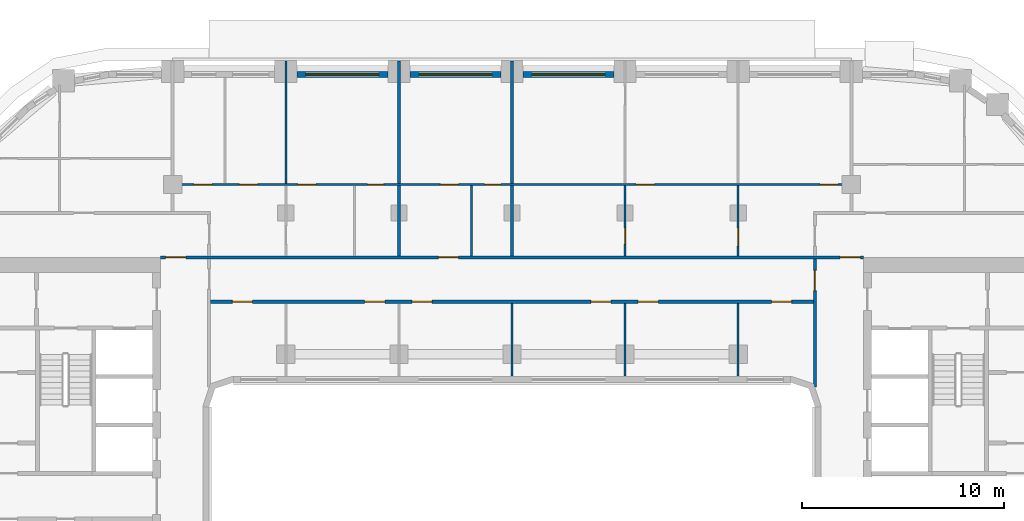
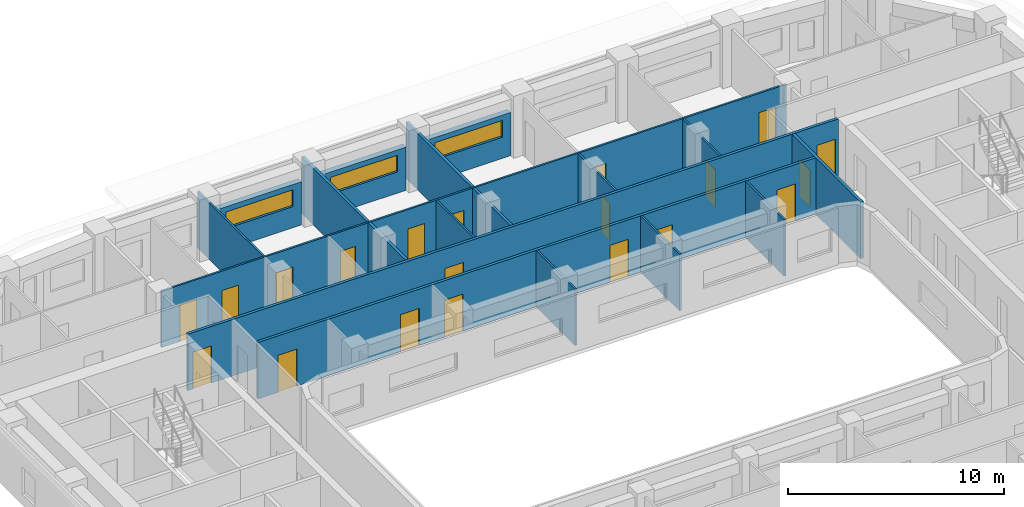
# One storey, part 8 of 22: 20 doors, 18 walls, 3 windows, 23 openings.
"""IFC4 building model written with IfcOpenShell, lengths in metres."""

from ifc_helpers import new_model, si_unit, direction, frame, frame_2d, origin, place, context, subcontext, project, spatial, rectangle, extrude, material, layer, layer_set, type_object, element, fill, save


model = new_model("IFC4")

# Units and contexts
model_context = context("Model", 3, precision=1e-05, world=origin(), true_north=direction((0.0, 1.0)))
body_context = subcontext(model_context, "Body", "Model", "MODEL_VIEW")
ifc_project = project(units=[si_unit("LENGTHUNIT", "METRE"), si_unit("AREAUNIT", "SQUARE_METRE"), si_unit("VOLUMEUNIT", "CUBIC_METRE"), si_unit("PLANEANGLEUNIT", "RADIAN"), si_unit("MASSUNIT", "GRAM", prefix="KILO")], contexts=[model_context])

# Site, building, storey
site_placement = place(None, origin())
site = spatial("IfcSite", under=ifc_project, at=site_placement, CompositionType="ELEMENT")
building_placement = place(site_placement, origin())
building = spatial("IfcBuilding", under=site, at=building_placement, Name="Kiln Ring Residences", CompositionType="ELEMENT")
storey_placement = place(building_placement, frame((0.0, 0.0, 153.60009765625)))
storey = spatial("IfcBuildingStorey", under=building, at=storey_placement, Name="L39", CompositionType="ELEMENT", Elevation=153.60009765625)

# Wall, opening, window
ifc_material_1 = material(Name="Brick masonry, dark clay brick", Category="masonry")
ifc_layer_1 = layer(ifc_material_1, 0.300048828125)
ifc_layer_set_1 = layer_set([ifc_layer_1], Name="EW-300 BRICK WALL")
wall_type_1 = type_object("IfcWallType", Name="EW-300 BRICK WALL", PredefinedType="SOLIDWALL", material=ifc_layer_set_1)
wall_1_placement = place(storey_placement, frame((5.050048828125, 22.25, 0.0), z_axis=(0.0, 0.0, 1.0), x_axis=(-1.0, 0.0, 0.0)))
wall_1 = element("IfcWall", 1, at=wall_1_placement, inside=storey, type_object=wall_type_1, Name="Facade wall L39 31", PredefinedType="SOLIDWALL", context=body_context, shape_type="SweptSolid", body=[
    extrude(rectangle(XDim=4.5, YDim=0.300048828125, at=frame_2d((2.25, 0.0))), origin(), (0.0, 0.0, 1.0), 2.449951171875),
])
opening_1_placement = place(wall_1_placement, frame((0.449951171875, 0.0, 1.199951171875)))
opening_1 = element("IfcOpeningElement", 2, at=opening_1_placement, cuts=wall_1, Name="Opening W4", PredefinedType="OPENING", context=body_context, shape_type="SweptSolid", body=[
    extrude(rectangle(XDim=3.60009765625, YDim=0.949951171875, at=frame_2d((1.800048828125, 0.47509765625))), frame((0.0, 0.159912109375, 0.0), z_axis=(0.0, -1.0, 0.0), x_axis=(1.0, 0.0, 0.0)), (0.0, 0.0, 1.0), 0.320068359375),
])
ifc_material_2 = material(Name="Aluminium frame with double glazing", Category="aluminium")
window_type = type_object("IfcWindowType", Name="WINDOW 3600 x 950", PartitioningType="SINGLE_PANEL", PredefinedType="WINDOW", material=ifc_material_2)
window_1_placement = place(opening_1_placement, origin())
window_1 = element("IfcWindow", 3, at=window_1_placement, inside=storey, type_object=window_type, Name="Window L39 19", OverallHeight=0.949951171875, OverallWidth=3.60009765625, PartitioningType="SINGLE_PANEL", PredefinedType="WINDOW", context=body_context, shape_type="SweptSolid", body=[
    extrude(rectangle(XDim=3.60009765625, YDim=0.949951171875, at=frame_2d((1.800048828125, 0.47509765625))), frame((0.0, 0.030029296875, 0.0), z_axis=(0.0, -1.0, 0.0), x_axis=(1.0, 0.0, 0.0)), (0.0, 0.0, 1.0), 0.06005859375),
])
fill(opening_1, window_1)

wall_2_placement = place(storey_placement, frame((-0.550048828125, 22.25, 0.0), z_axis=(0.0, 0.0, 1.0), x_axis=(-1.0, 0.0, 0.0)))
wall_2 = element("IfcWall", 4, at=wall_2_placement, inside=storey, type_object=wall_type_1, Name="Facade wall L39 32", PredefinedType="SOLIDWALL", context=body_context, shape_type="SweptSolid", body=[
    extrude(rectangle(XDim=4.5, YDim=0.300048828125, at=frame_2d((2.25, 0.0))), origin(), (0.0, 0.0, 1.0), 2.449951171875),
])
opening_2_placement = place(wall_2_placement, frame((0.449951171875, 0.0, 1.199951171875)))
opening_2 = element("IfcOpeningElement", 5, at=opening_2_placement, cuts=wall_2, Name="Opening W4", PredefinedType="OPENING", context=body_context, shape_type="SweptSolid", body=[
    extrude(rectangle(XDim=3.60009765625, YDim=0.949951171875, at=frame_2d((1.800048828125, 0.47509765625))), frame((0.0, 0.159912109375, 0.0), z_axis=(0.0, -1.0, 0.0), x_axis=(1.0, 0.0, 0.0)), (0.0, 0.0, 1.0), 0.320068359375),
])
window_2_placement = place(opening_2_placement, origin())
window_2 = element("IfcWindow", 6, at=window_2_placement, inside=storey, type_object=window_type, Name="Window L39 20", OverallHeight=0.949951171875, OverallWidth=3.60009765625, PartitioningType="SINGLE_PANEL", PredefinedType="WINDOW", context=body_context, shape_type="SweptSolid", body=[
    extrude(rectangle(XDim=3.60009765625, YDim=0.949951171875, at=frame_2d((1.800048828125, 0.47509765625))), frame((0.0, 0.030029296875, 0.0), z_axis=(0.0, -1.0, 0.0), x_axis=(1.0, 0.0, 0.0)), (0.0, 0.0, 1.0), 0.06005859375),
])
fill(opening_2, window_2)

wall_3_placement = place(storey_placement, frame((-6.14990234375, 22.25, 0.0), z_axis=(0.0, 0.0, 1.0), x_axis=(-1.0, 0.0, 0.0)))
wall_3 = element("IfcWall", 7, at=wall_3_placement, inside=storey, type_object=wall_type_1, Name="Facade wall L39 33", PredefinedType="SOLIDWALL", context=body_context, shape_type="SweptSolid", body=[
    extrude(rectangle(XDim=4.5, YDim=0.300048828125, at=frame_2d((2.25, 0.0))), origin(), (0.0, 0.0, 1.0), 2.449951171875),
])
opening_3_placement = place(wall_3_placement, frame((0.449951171875, 0.0, 1.199951171875)))
opening_3 = element("IfcOpeningElement", 8, at=opening_3_placement, cuts=wall_3, Name="Opening W4", PredefinedType="OPENING", context=body_context, shape_type="SweptSolid", body=[
    extrude(rectangle(XDim=3.60009765625, YDim=0.949951171875, at=frame_2d((1.800048828125, 0.47509765625))), frame((0.0, 0.159912109375, 0.0), z_axis=(0.0, -1.0, 0.0), x_axis=(1.0, 0.0, 0.0)), (0.0, 0.0, 1.0), 0.320068359375),
])
window_3_placement = place(opening_3_placement, origin())
window_3 = element("IfcWindow", 9, at=window_3_placement, inside=storey, type_object=window_type, Name="Window L39 21", OverallHeight=0.949951171875, OverallWidth=3.60009765625, PartitioningType="SINGLE_PANEL", PredefinedType="WINDOW", context=body_context, shape_type="SweptSolid", body=[
    extrude(rectangle(XDim=3.60009765625, YDim=0.949951171875, at=frame_2d((1.800048828125, 0.47509765625))), frame((0.0, 0.030029296875, 0.0), z_axis=(0.0, -1.0, 0.0), x_axis=(1.0, 0.0, 0.0)), (0.0, 0.0, 1.0), 0.06005859375),
])
fill(opening_3, window_3)

# Wall, openings, doors
ifc_material_3 = material(Name="Gypsum board on steel studs", Category="steel")
ifc_layer_2 = layer(ifc_material_3, 0.10009765625)
ifc_layer_set_2 = layer_set([ifc_layer_2], Name="PARTITION-100")
wall_type_2 = type_object("IfcWallType", Name="PARTITION-100", PredefinedType="PARTITIONING", material=ifc_layer_set_2)
wall_4_placement = place(storey_placement, frame((-16.72509765625, 16.800048828125, 0.0), z_axis=(0.0, 0.0, 1.0), x_axis=(1.0, 0.0, 0.0)))
wall_4 = element("IfcWall", 10, at=wall_4_placement, inside=storey, type_object=wall_type_2, Name="Partition 011", PredefinedType="PARTITIONING", context=body_context, shape_type="SweptSolid", body=[
    extrude(rectangle(XDim=33.4501953125, YDim=0.10009765625, at=frame_2d((16.72509765625, 0.0))), origin(), (0.0, 0.0, 1.0), 3.199951171875),
])
opening_4_placement = place(wall_4_placement, frame((9.574951171875, 0.0, 0.0)))
opening_4 = element("IfcOpeningElement", 11, at=opening_4_placement, cuts=wall_4, Name="Opening L39-D017", PredefinedType="OPENING", context=body_context, shape_type="SweptSolid", body=[
    extrude(rectangle(XDim=0.800048828125, YDim=2.10009765625, at=frame_2d((0.39990234375, 1.050048828125))), frame((0.0, 0.06005859375, 0.0), z_axis=(0.0, -1.0, 0.0), x_axis=(1.0, 0.0, 0.0)), (0.0, 0.0, 1.0), 0.1201171875),
])
opening_5_placement = place(wall_4_placement, frame((6.125, 0.0, 0.0)))
opening_5 = element("IfcOpeningElement", 12, at=opening_5_placement, cuts=wall_4, Name="Opening L39-D018", PredefinedType="OPENING", context=body_context, shape_type="SweptSolid", body=[
    extrude(rectangle(XDim=0.89990234375, YDim=2.10009765625, at=frame_2d((0.449951171875, 1.050048828125))), frame((0.0, 0.06005859375, 0.0), z_axis=(0.0, -1.0, 0.0), x_axis=(1.0, 0.0, 0.0)), (0.0, 0.0, 1.0), 0.1201171875),
])
opening_6_placement = place(wall_4_placement, frame((0.97509765625, 0.0, 0.0)))
opening_6 = element("IfcOpeningElement", 13, at=opening_6_placement, cuts=wall_4, Name="Opening L39-D019", PredefinedType="OPENING", context=body_context, shape_type="SweptSolid", body=[
    extrude(rectangle(XDim=0.89990234375, YDim=2.10009765625, at=frame_2d((0.449951171875, 1.050048828125))), frame((0.0, 0.06005859375, 0.0), z_axis=(0.0, -1.0, 0.0), x_axis=(1.0, 0.0, 0.0)), (0.0, 0.0, 1.0), 0.1201171875),
])
opening_7_placement = place(wall_4_placement, frame((3.22509765625, 0.0, 0.0)))
opening_7 = element("IfcOpeningElement", 14, at=opening_7_placement, cuts=wall_4, Name="Opening L39-D020", PredefinedType="OPENING", context=body_context, shape_type="SweptSolid", body=[
    extrude(rectangle(XDim=0.89990234375, YDim=2.10009765625, at=frame_2d((0.449951171875, 1.050048828125))), frame((0.0, 0.06005859375, 0.0), z_axis=(0.0, -1.0, 0.0), x_axis=(1.0, 0.0, 0.0)), (0.0, 0.0, 1.0), 0.1201171875),
])
opening_8_placement = place(wall_4_placement, frame((15.375, 0.0, 0.0)))
opening_8 = element("IfcOpeningElement", 15, at=opening_8_placement, cuts=wall_4, Name="Opening L39-D022", PredefinedType="OPENING", context=body_context, shape_type="SweptSolid", body=[
    extrude(rectangle(XDim=0.800048828125, YDim=2.10009765625, at=frame_2d((0.39990234375, 1.050048828125))), frame((0.0, 0.06005859375, 0.0), z_axis=(0.0, -1.0, 0.0), x_axis=(1.0, 0.0, 0.0)), (0.0, 0.0, 1.0), 0.1201171875),
])
opening_9_placement = place(wall_4_placement, frame((13.175048828125, 0.0, 0.0)))
opening_9 = element("IfcOpeningElement", 16, at=opening_9_placement, cuts=wall_4, Name="Opening L39-D023", PredefinedType="OPENING", context=body_context, shape_type="SweptSolid", body=[
    extrude(rectangle(XDim=0.89990234375, YDim=2.10009765625, at=frame_2d((0.449951171875, 1.050048828125))), frame((0.0, 0.06005859375, 0.0), z_axis=(0.0, -1.0, 0.0), x_axis=(1.0, 0.0, 0.0)), (0.0, 0.0, 1.0), 0.1201171875),
])
opening_10_placement = place(wall_4_placement, frame((31.97509765625, 0.0, 0.0)))
opening_10 = element("IfcOpeningElement", 17, at=opening_10_placement, cuts=wall_4, Name="Opening L39-D027", PredefinedType="OPENING", context=body_context, shape_type="SweptSolid", body=[
    extrude(rectangle(XDim=0.89990234375, YDim=2.10009765625, at=frame_2d((0.449951171875, 1.050048828125))), frame((0.0, 0.06005859375, 0.0), z_axis=(0.0, -1.0, 0.0), x_axis=(1.0, 0.0, 0.0)), (0.0, 0.0, 1.0), 0.1201171875),
])
opening_11_placement = place(wall_4_placement, frame((22.875, 0.0, 0.0)))
opening_11 = element("IfcOpeningElement", 18, at=opening_11_placement, cuts=wall_4, Name="Opening L39-D028", PredefinedType="OPENING", context=body_context, shape_type="SweptSolid", body=[
    extrude(rectangle(XDim=0.89990234375, YDim=2.10009765625, at=frame_2d((0.449951171875, 1.050048828125))), frame((0.0, 0.06005859375, 0.0), z_axis=(0.0, -1.0, 0.0), x_axis=(1.0, 0.0, 0.0)), (0.0, 0.0, 1.0), 0.1201171875),
])
ifc_material_4 = material(Name="Timber door leaf", Category="wood")
door_type_1 = type_object("IfcDoorType", Name="FLAT-DOOR-800-PL", OperationType="SINGLE_SWING_LEFT", PredefinedType="DOOR", material=ifc_material_4)
door_1_placement = place(opening_4_placement, origin())
door_1 = element("IfcDoor", 19, at=door_1_placement, inside=storey, type_object=door_type_1, Name="Door L39-D017", OperationType="SINGLE_SWING_LEFT", OverallHeight=2.10009765625, OverallWidth=0.800048828125, PredefinedType="DOOR", context=body_context, shape_type="SweptSolid", body=[
    extrude(rectangle(XDim=0.800048828125, YDim=2.10009765625, at=frame_2d((0.39990234375, 1.050048828125))), frame((0.0, 0.02490234375, 0.0), z_axis=(0.0, -1.0, 0.0), x_axis=(1.0, 0.0, 0.0)), (0.0, 0.0, 1.0), 0.050048828125),
])
fill(opening_4, door_1)
door_2_placement = place(opening_8_placement, origin())
door_2 = element("IfcDoor", 20, at=door_2_placement, inside=storey, type_object=door_type_1, Name="Door L39-D022", OperationType="SINGLE_SWING_RIGHT", OverallHeight=2.10009765625, OverallWidth=0.800048828125, PredefinedType="DOOR", context=body_context, shape_type="SweptSolid", body=[
    extrude(rectangle(XDim=0.800048828125, YDim=2.10009765625, at=frame_2d((0.39990234375, 1.050048828125))), frame((0.0, 0.02490234375, 0.0), z_axis=(0.0, -1.0, 0.0), x_axis=(1.0, 0.0, 0.0)), (0.0, 0.0, 1.0), 0.050048828125),
])
fill(opening_8, door_2)
ifc_material_5 = material(Name="Timber door leaf", Category="wood")
door_type_2 = type_object("IfcDoorType", Name="FLAT-DOOR-900-PL", OperationType="SINGLE_SWING_LEFT", PredefinedType="DOOR", material=ifc_material_5)
door_3_placement = place(opening_5_placement, origin())
door_3 = element("IfcDoor", 21, at=door_3_placement, inside=storey, type_object=door_type_2, Name="Door L39-D018", OperationType="SINGLE_SWING_RIGHT", OverallHeight=2.10009765625, OverallWidth=0.89990234375, PredefinedType="DOOR", context=body_context, shape_type="SweptSolid", body=[
    extrude(rectangle(XDim=0.89990234375, YDim=2.10009765625, at=frame_2d((0.449951171875, 1.050048828125))), frame((0.0, 0.02490234375, 0.0), z_axis=(0.0, -1.0, 0.0), x_axis=(1.0, 0.0, 0.0)), (0.0, 0.0, 1.0), 0.050048828125),
])
fill(opening_5, door_3)
door_4_placement = place(opening_6_placement, origin())
door_4 = element("IfcDoor", 22, at=door_4_placement, inside=storey, type_object=door_type_2, Name="Door L39-D019", OperationType="SINGLE_SWING_LEFT", OverallHeight=2.10009765625, OverallWidth=0.89990234375, PredefinedType="DOOR", context=body_context, shape_type="SweptSolid", body=[
    extrude(rectangle(XDim=0.89990234375, YDim=2.10009765625, at=frame_2d((0.449951171875, 1.050048828125))), frame((0.0, 0.02490234375, 0.0), z_axis=(0.0, -1.0, 0.0), x_axis=(1.0, 0.0, 0.0)), (0.0, 0.0, 1.0), 0.050048828125),
])
fill(opening_6, door_4)
door_5_placement = place(opening_7_placement, origin())
door_5 = element("IfcDoor", 23, at=door_5_placement, inside=storey, type_object=door_type_2, Name="Door L39-D020", OperationType="SINGLE_SWING_RIGHT", OverallHeight=2.10009765625, OverallWidth=0.89990234375, PredefinedType="DOOR", context=body_context, shape_type="SweptSolid", body=[
    extrude(rectangle(XDim=0.89990234375, YDim=2.10009765625, at=frame_2d((0.449951171875, 1.050048828125))), frame((0.0, 0.02490234375, 0.0), z_axis=(0.0, -1.0, 0.0), x_axis=(1.0, 0.0, 0.0)), (0.0, 0.0, 1.0), 0.050048828125),
])
fill(opening_7, door_5)
door_6_placement = place(opening_9_placement, origin())
door_6 = element("IfcDoor", 24, at=door_6_placement, inside=storey, type_object=door_type_2, Name="Door L39-D023", OperationType="SINGLE_SWING_LEFT", OverallHeight=2.10009765625, OverallWidth=0.89990234375, PredefinedType="DOOR", context=body_context, shape_type="SweptSolid", body=[
    extrude(rectangle(XDim=0.89990234375, YDim=2.10009765625, at=frame_2d((0.449951171875, 1.050048828125))), frame((0.0, 0.02490234375, 0.0), z_axis=(0.0, -1.0, 0.0), x_axis=(1.0, 0.0, 0.0)), (0.0, 0.0, 1.0), 0.050048828125),
])
fill(opening_9, door_6)
door_7_placement = place(opening_10_placement, origin())
door_7 = element("IfcDoor", 25, at=door_7_placement, inside=storey, type_object=door_type_2, Name="Door L39-D027", OperationType="SINGLE_SWING_LEFT", OverallHeight=2.10009765625, OverallWidth=0.89990234375, PredefinedType="DOOR", context=body_context, shape_type="SweptSolid", body=[
    extrude(rectangle(XDim=0.89990234375, YDim=2.10009765625, at=frame_2d((0.449951171875, 1.050048828125))), frame((0.0, 0.02490234375, 0.0), z_axis=(0.0, -1.0, 0.0), x_axis=(1.0, 0.0, 0.0)), (0.0, 0.0, 1.0), 0.050048828125),
])
fill(opening_10, door_7)
door_8_placement = place(opening_11_placement, origin())
door_8 = element("IfcDoor", 26, at=door_8_placement, inside=storey, type_object=door_type_2, Name="Door L39-D028", OperationType="SINGLE_SWING_RIGHT", OverallHeight=2.10009765625, OverallWidth=0.89990234375, PredefinedType="DOOR", context=body_context, shape_type="SweptSolid", body=[
    extrude(rectangle(XDim=0.89990234375, YDim=2.10009765625, at=frame_2d((0.449951171875, 1.050048828125))), frame((0.0, 0.02490234375, 0.0), z_axis=(0.0, -1.0, 0.0), x_axis=(1.0, 0.0, 0.0)), (0.0, 0.0, 1.0), 0.050048828125),
])
fill(opening_11, door_8)

# Walls
wall_5_placement = place(storey_placement, frame((-11.199951171875, 16.85009765625, 0.0), z_axis=(0.0, 0.0, 1.0), x_axis=(0.0, 1.0, 0.0)))
element("IfcWall", 27, at=wall_5_placement, inside=storey, type_object=wall_type_2, Name="Partition 030", PredefinedType="PARTITIONING", context=body_context, shape_type="SweptSolid", body=[
    extrude(rectangle(XDim=6.079833984375, YDim=0.10009765625, at=frame_2d((3.0400390625, 0.0))), origin(), (0.0, 0.0, 1.0), 3.199951171875),
])
wall_6_placement = place(storey_placement, frame((-2.0, 13.27490234375, 0.0), z_axis=(0.0, 0.0, 1.0), x_axis=(0.0, 1.0, 0.0)))
element("IfcWall", 28, at=wall_6_placement, inside=storey, type_object=wall_type_2, Name="Partition 038", PredefinedType="PARTITIONING", context=body_context, shape_type="SweptSolid", body=[
    extrude(rectangle(XDim=3.47509765625, YDim=0.10009765625, at=frame_2d((1.737548828125, 0.0))), origin(), (0.0, 0.0, 1.0), 3.199951171875),
])
for number, where, z_axis, x_axis, name in (
    (29, (0.0, 7.320068359375, 0.0), (0.0, 0.0, 1.0), (0.0, 1.0, 0.0), "Partition 042"),
    (30, (5.60009765625, 7.320068359375, 0.0), (0.0, 0.0, 1.0), (0.0, 1.0, 0.0), "Partition 046"),
):
    element("IfcWall", number, at=place(storey_placement, frame(where, z_axis=z_axis, x_axis=x_axis)), inside=storey, type_object=wall_type_2, Name=name, PredefinedType="PARTITIONING", context=body_context, shape_type="SweptSolid", body=[
        extrude(rectangle(XDim=3.60498046875, YDim=0.10009765625, at=frame_2d((1.802490234375, 0.0))), origin(), (0.0, 0.0, 1.0), 3.199951171875),
    ])

# Wall, opening, door
wall_7_placement = place(storey_placement, frame((5.60009765625, 13.27490234375, 0.0), z_axis=(0.0, 0.0, 1.0), x_axis=(0.0, 1.0, 0.0)))
wall_7 = element("IfcWall", 31, at=wall_7_placement, inside=storey, type_object=wall_type_2, Name="Partition 047", PredefinedType="PARTITIONING", context=body_context, shape_type="SweptSolid", body=[
    extrude(rectangle(XDim=3.47509765625, YDim=0.10009765625, at=frame_2d((1.737548828125, 0.0))), origin(), (0.0, 0.0, 1.0), 3.199951171875),
])
opening_12_placement = place(wall_7_placement, frame((0.574951171875, 0.0, 0.0)))
opening_12 = element("IfcOpeningElement", 32, at=opening_12_placement, cuts=wall_7, Name="Opening L39-D026", PredefinedType="OPENING", context=body_context, shape_type="SweptSolid", body=[
    extrude(rectangle(XDim=0.800048828125, YDim=2.10009765625, at=frame_2d((0.39990234375, 1.050048828125))), frame((0.0, 0.06005859375, 0.0), z_axis=(0.0, -1.0, 0.0), x_axis=(1.0, 0.0, 0.0)), (0.0, 0.0, 1.0), 0.1201171875),
])
door_9_placement = place(opening_12_placement, origin())
door_9 = element("IfcDoor", 33, at=door_9_placement, inside=storey, type_object=door_type_1, Name="Door L39-D026", OperationType="SINGLE_SWING_RIGHT", OverallHeight=2.10009765625, OverallWidth=0.800048828125, PredefinedType="DOOR", context=body_context, shape_type="SweptSolid", body=[
    extrude(rectangle(XDim=0.800048828125, YDim=2.10009765625, at=frame_2d((0.39990234375, 1.050048828125))), frame((0.0, 0.02490234375, 0.0), z_axis=(0.0, -1.0, 0.0), x_axis=(1.0, 0.0, 0.0)), (0.0, 0.0, 1.0), 0.050048828125),
])
fill(opening_12, door_9)

# Wall
wall_8_placement = place(storey_placement, frame((11.199951171875, 7.320068359375, 0.0), z_axis=(0.0, 0.0, 1.0), x_axis=(0.0, 1.0, 0.0)))
element("IfcWall", 34, at=wall_8_placement, inside=storey, type_object=wall_type_2, Name="Partition 054", PredefinedType="PARTITIONING", context=body_context, shape_type="SweptSolid", body=[
    extrude(rectangle(XDim=3.60498046875, YDim=0.10009765625, at=frame_2d((1.802490234375, 0.0))), origin(), (0.0, 0.0, 1.0), 3.199951171875),
])

# Wall, opening, door
wall_9_placement = place(storey_placement, frame((11.199951171875, 13.27490234375, 0.0), z_axis=(0.0, 0.0, 1.0), x_axis=(0.0, 1.0, 0.0)))
wall_9 = element("IfcWall", 35, at=wall_9_placement, inside=storey, type_object=wall_type_2, Name="Partition 055", PredefinedType="PARTITIONING", context=body_context, shape_type="SweptSolid", body=[
    extrude(rectangle(XDim=3.47509765625, YDim=0.10009765625, at=frame_2d((1.737548828125, 0.0))), origin(), (0.0, 0.0, 1.0), 3.199951171875),
])
opening_13_placement = place(wall_9_placement, frame((0.47509765625, 0.0, 0.0)))
opening_13 = element("IfcOpeningElement", 36, at=opening_13_placement, cuts=wall_9, Name="Opening L39-D025", PredefinedType="OPENING", context=body_context, shape_type="SweptSolid", body=[
    extrude(rectangle(XDim=0.89990234375, YDim=2.10009765625, at=frame_2d((0.449951171875, 1.050048828125))), frame((0.0, 0.06005859375, 0.0), z_axis=(0.0, -1.0, 0.0), x_axis=(1.0, 0.0, 0.0)), (0.0, 0.0, 1.0), 0.1201171875),
])
door_10_placement = place(opening_13_placement, origin())
door_10 = element("IfcDoor", 37, at=door_10_placement, inside=storey, type_object=door_type_2, Name="Door L39-D025", OperationType="SINGLE_SWING_RIGHT", OverallHeight=2.10009765625, OverallWidth=0.89990234375, PredefinedType="DOOR", context=body_context, shape_type="SweptSolid", body=[
    extrude(rectangle(XDim=0.89990234375, YDim=2.10009765625, at=frame_2d((0.449951171875, 1.050048828125))), frame((0.0, 0.02490234375, 0.0), z_axis=(0.0, -1.0, 0.0), x_axis=(1.0, 0.0, 0.0)), (0.0, 0.0, 1.0), 0.050048828125),
])
fill(opening_13, door_10)

# Wall, openings, doors
ifc_material_6 = material(Name="Brick masonry partition", Category="masonry")
ifc_layer_3 = layer(ifc_material_6, 0.14990234375)
ifc_layer_set_3 = layer_set([ifc_layer_3], Name="PARTITION-150-ei60")
wall_type_3 = type_object("IfcWallType", Name="PARTITION-150-ei60", PredefinedType="PARTITIONING", material=ifc_layer_set_3)
wall_10_placement = place(storey_placement, frame((-14.925048828125, 11.0, 0.0), z_axis=(0.0, 0.0, 1.0), x_axis=(1.0, 0.0, 0.0)))
wall_10 = element("IfcWall", 38, at=wall_10_placement, inside=storey, type_object=wall_type_3, Name="Partition 007", PredefinedType="PARTITIONING", context=body_context, shape_type="SweptSolid", body=[
    extrude(rectangle(XDim=29.85009765625, YDim=0.14990234375, at=frame_2d((14.925048828125, 0.0))), origin(), (0.0, 0.0, 1.0), 3.199951171875),
])
opening_14_placement = place(wall_10_placement, frame((1.075927734375, 0.0, 0.0)))
opening_14 = element("IfcOpeningElement", 39, at=opening_14_placement, cuts=wall_10, Name="Opening L39-D009", PredefinedType="OPENING", context=body_context, shape_type="SweptSolid", body=[
    extrude(rectangle(XDim=1.0, YDim=2.10009765625, at=frame_2d((0.5, 1.050048828125))), frame((0.0, 0.0849609375, 0.0), z_axis=(0.0, -1.0, 0.0), x_axis=(1.0, 0.0, 0.0)), (0.0, 0.0, 1.0), 0.169921875),
])
opening_15_placement = place(wall_10_placement, frame((7.625, 0.0, 0.0)))
opening_15 = element("IfcOpeningElement", 40, at=opening_15_placement, cuts=wall_10, Name="Opening L39-D010", PredefinedType="OPENING", context=body_context, shape_type="SweptSolid", body=[
    extrude(rectangle(XDim=1.0, YDim=2.10009765625, at=frame_2d((0.5, 1.050048828125))), frame((0.0, 0.0849609375, 0.0), z_axis=(0.0, -1.0, 0.0), x_axis=(1.0, 0.0, 0.0)), (0.0, 0.0, 1.0), 0.169921875),
])
opening_16_placement = place(wall_10_placement, frame((9.97509765625, 0.0, 0.0)))
opening_16 = element("IfcOpeningElement", 41, at=opening_16_placement, cuts=wall_10, Name="Opening L39-D011", PredefinedType="OPENING", context=body_context, shape_type="SweptSolid", body=[
    extrude(rectangle(XDim=1.0, YDim=2.10009765625, at=frame_2d((0.5, 1.050048828125))), frame((0.0, 0.0849609375, 0.0), z_axis=(0.0, -1.0, 0.0), x_axis=(1.0, 0.0, 0.0)), (0.0, 0.0, 1.0), 0.169921875),
])
opening_17_placement = place(wall_10_placement, frame((18.824951171875, 0.0, 0.0)))
opening_17 = element("IfcOpeningElement", 42, at=opening_17_placement, cuts=wall_10, Name="Opening L39-D012", PredefinedType="OPENING", context=body_context, shape_type="SweptSolid", body=[
    extrude(rectangle(XDim=1.0, YDim=2.10009765625, at=frame_2d((0.5, 1.050048828125))), frame((0.0, 0.0849609375, 0.0), z_axis=(0.0, -1.0, 0.0), x_axis=(1.0, 0.0, 0.0)), (0.0, 0.0, 1.0), 0.169921875),
])
opening_18_placement = place(wall_10_placement, frame((21.175048828125, 0.0, 0.0)))
opening_18 = element("IfcOpeningElement", 43, at=opening_18_placement, cuts=wall_10, Name="Opening L39-D013", PredefinedType="OPENING", context=body_context, shape_type="SweptSolid", body=[
    extrude(rectangle(XDim=1.0, YDim=2.10009765625, at=frame_2d((0.5, 1.050048828125))), frame((0.0, 0.0849609375, 0.0), z_axis=(0.0, -1.0, 0.0), x_axis=(1.0, 0.0, 0.0)), (0.0, 0.0, 1.0), 0.169921875),
])
opening_19_placement = place(wall_10_placement, frame((27.77490234375, 0.0, 0.0)))
opening_19 = element("IfcOpeningElement", 44, at=opening_19_placement, cuts=wall_10, Name="Opening L39-D014", PredefinedType="OPENING", context=body_context, shape_type="SweptSolid", body=[
    extrude(rectangle(XDim=1.0, YDim=2.10009765625, at=frame_2d((0.5, 1.050048828125))), frame((0.0, 0.0849609375, 0.0), z_axis=(0.0, -1.0, 0.0), x_axis=(1.0, 0.0, 0.0)), (0.0, 0.0, 1.0), 0.169921875),
])
ifc_material_7 = material(Name="Steel faced fire door leaf", Category="steel")
door_type_3 = type_object("IfcDoorType", Name="FLAT-DOOR-1000-FR", OperationType="SINGLE_SWING_LEFT", PredefinedType="DOOR", material=ifc_material_7)
door_11_placement = place(opening_14_placement, origin())
door_11 = element("IfcDoor", 45, at=door_11_placement, inside=storey, type_object=door_type_3, Name="Door L39-D009", OperationType="SINGLE_SWING_LEFT", OverallHeight=2.10009765625, OverallWidth=1.0, PredefinedType="DOOR", context=body_context, shape_type="SweptSolid", body=[
    extrude(rectangle(XDim=1.0, YDim=2.10009765625, at=frame_2d((0.5, 1.050048828125))), frame((0.0, 0.02490234375, 0.0), z_axis=(0.0, -1.0, 0.0), x_axis=(1.0, 0.0, 0.0)), (0.0, 0.0, 1.0), 0.050048828125),
])
fill(opening_14, door_11)
door_12_placement = place(opening_15_placement, origin())
door_12 = element("IfcDoor", 46, at=door_12_placement, inside=storey, type_object=door_type_3, Name="Door L39-D010", OperationType="SINGLE_SWING_RIGHT", OverallHeight=2.10009765625, OverallWidth=1.0, PredefinedType="DOOR", context=body_context, shape_type="SweptSolid", body=[
    extrude(rectangle(XDim=1.0, YDim=2.10009765625, at=frame_2d((0.5, 1.050048828125))), frame((0.0, 0.02490234375, 0.0), z_axis=(0.0, -1.0, 0.0), x_axis=(1.0, 0.0, 0.0)), (0.0, 0.0, 1.0), 0.050048828125),
])
fill(opening_15, door_12)
door_13_placement = place(opening_16_placement, origin())
door_13 = element("IfcDoor", 47, at=door_13_placement, inside=storey, type_object=door_type_3, Name="Door L39-D011", OperationType="SINGLE_SWING_LEFT", OverallHeight=2.10009765625, OverallWidth=1.0, PredefinedType="DOOR", context=body_context, shape_type="SweptSolid", body=[
    extrude(rectangle(XDim=1.0, YDim=2.10009765625, at=frame_2d((0.5, 1.050048828125))), frame((0.0, 0.02490234375, 0.0), z_axis=(0.0, -1.0, 0.0), x_axis=(1.0, 0.0, 0.0)), (0.0, 0.0, 1.0), 0.050048828125),
])
fill(opening_16, door_13)
door_14_placement = place(opening_17_placement, origin())
door_14 = element("IfcDoor", 48, at=door_14_placement, inside=storey, type_object=door_type_3, Name="Door L39-D012", OperationType="SINGLE_SWING_RIGHT", OverallHeight=2.10009765625, OverallWidth=1.0, PredefinedType="DOOR", context=body_context, shape_type="SweptSolid", body=[
    extrude(rectangle(XDim=1.0, YDim=2.10009765625, at=frame_2d((0.5, 1.050048828125))), frame((0.0, 0.02490234375, 0.0), z_axis=(0.0, -1.0, 0.0), x_axis=(1.0, 0.0, 0.0)), (0.0, 0.0, 1.0), 0.050048828125),
])
fill(opening_17, door_14)
door_15_placement = place(opening_18_placement, origin())
door_15 = element("IfcDoor", 49, at=door_15_placement, inside=storey, type_object=door_type_3, Name="Door L39-D013", OperationType="SINGLE_SWING_LEFT", OverallHeight=2.10009765625, OverallWidth=1.0, PredefinedType="DOOR", context=body_context, shape_type="SweptSolid", body=[
    extrude(rectangle(XDim=1.0, YDim=2.10009765625, at=frame_2d((0.5, 1.050048828125))), frame((0.0, 0.02490234375, 0.0), z_axis=(0.0, -1.0, 0.0), x_axis=(1.0, 0.0, 0.0)), (0.0, 0.0, 1.0), 0.050048828125),
])
fill(opening_18, door_15)
door_16_placement = place(opening_19_placement, origin())
door_16 = element("IfcDoor", 50, at=door_16_placement, inside=storey, type_object=door_type_3, Name="Door L39-D014", OperationType="SINGLE_SWING_RIGHT", OverallHeight=2.10009765625, OverallWidth=1.0, PredefinedType="DOOR", context=body_context, shape_type="SweptSolid", body=[
    extrude(rectangle(XDim=1.0, YDim=2.10009765625, at=frame_2d((0.5, 1.050048828125))), frame((0.0, 0.02490234375, 0.0), z_axis=(0.0, -1.0, 0.0), x_axis=(1.0, 0.0, 0.0)), (0.0, 0.0, 1.0), 0.050048828125),
])
fill(opening_19, door_16)

wall_11_placement = place(storey_placement, frame((-17.39990234375, 13.199951171875, 0.0), z_axis=(0.0, 0.0, 1.0), x_axis=(1.0, 0.0, 0.0)))
wall_11 = element("IfcWall", 51, at=wall_11_placement, inside=storey, type_object=wall_type_3, Name="Partition 008", PredefinedType="PARTITIONING", context=body_context, shape_type="SweptSolid", body=[
    extrude(rectangle(XDim=34.7998046875, YDim=0.14990234375, at=frame_2d((17.39990234375, 0.0))), origin(), (0.0, 0.0, 1.0), 3.199951171875),
])
opening_20_placement = place(wall_11_placement, frame((0.25, 0.0, 0.0)))
opening_20 = element("IfcOpeningElement", 52, at=opening_20_placement, cuts=wall_11, Name="Opening L39-D003", PredefinedType="OPENING", context=body_context, shape_type="SweptSolid", body=[
    extrude(rectangle(XDim=1.0, YDim=2.10009765625, at=frame_2d((0.5, 1.050048828125))), frame((0.0, 0.0849609375, 0.0), z_axis=(0.0, -1.0, 0.0), x_axis=(1.0, 0.0, 0.0)), (0.0, 0.0, 1.0), 0.169921875),
])
opening_21_placement = place(wall_11_placement, frame((33.64990234375, 0.0, 0.0)))
opening_21 = element("IfcOpeningElement", 53, at=opening_21_placement, cuts=wall_11, Name="Opening L39-D004", PredefinedType="OPENING", context=body_context, shape_type="SweptSolid", body=[
    extrude(rectangle(XDim=1.0, YDim=2.10009765625, at=frame_2d((0.5, 1.050048828125))), frame((0.0, 0.0849609375, 0.0), z_axis=(0.0, -1.0, 0.0), x_axis=(1.0, 0.0, 0.0)), (0.0, 0.0, 1.0), 0.169921875),
])
opening_22_placement = place(wall_11_placement, frame((13.75, 0.0, 0.0)))
opening_22 = element("IfcOpeningElement", 54, at=opening_22_placement, cuts=wall_11, Name="Opening L39-D021", PredefinedType="OPENING", context=body_context, shape_type="SweptSolid", body=[
    extrude(rectangle(XDim=1.0, YDim=2.10009765625, at=frame_2d((0.5, 1.050048828125))), frame((0.0, 0.0849609375, 0.0), z_axis=(0.0, -1.0, 0.0), x_axis=(1.0, 0.0, 0.0)), (0.0, 0.0, 1.0), 0.169921875),
])
door_17_placement = place(opening_20_placement, origin())
door_17 = element("IfcDoor", 55, at=door_17_placement, inside=storey, type_object=door_type_3, Name="Door L39-D003", OperationType="SINGLE_SWING_LEFT", OverallHeight=2.10009765625, OverallWidth=1.0, PredefinedType="DOOR", context=body_context, shape_type="SweptSolid", body=[
    extrude(rectangle(XDim=1.0, YDim=2.10009765625, at=frame_2d((0.5, 1.050048828125))), frame((0.0, 0.02490234375, 0.0), z_axis=(0.0, -1.0, 0.0), x_axis=(1.0, 0.0, 0.0)), (0.0, 0.0, 1.0), 0.050048828125),
])
fill(opening_20, door_17)
door_18_placement = place(opening_21_placement, origin())
door_18 = element("IfcDoor", 56, at=door_18_placement, inside=storey, type_object=door_type_3, Name="Door L39-D004", OperationType="SINGLE_SWING_RIGHT", OverallHeight=2.10009765625, OverallWidth=1.0, PredefinedType="DOOR", context=body_context, shape_type="SweptSolid", body=[
    extrude(rectangle(XDim=1.0, YDim=2.10009765625, at=frame_2d((0.5, 1.050048828125))), frame((0.0, 0.02490234375, 0.0), z_axis=(0.0, -1.0, 0.0), x_axis=(1.0, 0.0, 0.0)), (0.0, 0.0, 1.0), 0.050048828125),
])
fill(opening_21, door_18)
door_19_placement = place(opening_22_placement, origin())
door_19 = element("IfcDoor", 57, at=door_19_placement, inside=storey, type_object=door_type_3, Name="Door L39-D021", OperationType="SINGLE_SWING_LEFT", OverallHeight=2.10009765625, OverallWidth=1.0, PredefinedType="DOOR", context=body_context, shape_type="SweptSolid", body=[
    extrude(rectangle(XDim=1.0, YDim=2.10009765625, at=frame_2d((0.5, 1.050048828125))), frame((0.0, 0.02490234375, 0.0), z_axis=(0.0, -1.0, 0.0), x_axis=(1.0, 0.0, 0.0)), (0.0, 0.0, 1.0), 0.050048828125),
])
fill(opening_22, door_19)

# Walls
wall_12_placement = place(storey_placement, frame((-5.60009765625, 13.27490234375, 0.0), z_axis=(0.0, 0.0, 1.0), x_axis=(0.0, 1.0, 0.0)))
element("IfcWall", 58, at=wall_12_placement, inside=storey, type_object=wall_type_3, Name="Partition 036", PredefinedType="PARTITIONING", context=body_context, shape_type="SweptSolid", body=[
    extrude(rectangle(XDim=3.47509765625, YDim=0.14990234375, at=frame_2d((1.737548828125, 0.0))), origin(), (0.0, 0.0, 1.0), 3.199951171875),
])
wall_13_placement = place(storey_placement, frame((-5.60009765625, 16.85009765625, 0.0), z_axis=(0.0, 0.0, 1.0), x_axis=(0.0, 1.0, 0.0)))
element("IfcWall", 59, at=wall_13_placement, inside=storey, type_object=wall_type_3, Name="Partition 037", PredefinedType="PARTITIONING", context=body_context, shape_type="SweptSolid", body=[
    extrude(rectangle(XDim=6.079833984375, YDim=0.14990234375, at=frame_2d((3.0400390625, 0.0))), origin(), (0.0, 0.0, 1.0), 3.199951171875),
])
wall_14_placement = place(storey_placement, frame((0.0, 13.27490234375, 0.0), z_axis=(0.0, 0.0, 1.0), x_axis=(0.0, 1.0, 0.0)))
element("IfcWall", 60, at=wall_14_placement, inside=storey, type_object=wall_type_3, Name="Partition 043", PredefinedType="PARTITIONING", context=body_context, shape_type="SweptSolid", body=[
    extrude(rectangle(XDim=3.47509765625, YDim=0.14990234375, at=frame_2d((1.737548828125, 0.0))), origin(), (0.0, 0.0, 1.0), 3.199951171875),
])
wall_15_placement = place(storey_placement, frame((0.0, 16.85009765625, 0.0), z_axis=(0.0, 0.0, 1.0), x_axis=(0.0, 1.0, 0.0)))
element("IfcWall", 61, at=wall_15_placement, inside=storey, type_object=wall_type_3, Name="Partition 044", PredefinedType="PARTITIONING", context=body_context, shape_type="SweptSolid", body=[
    extrude(rectangle(XDim=6.079833984375, YDim=0.14990234375, at=frame_2d((3.0400390625, 0.0))), origin(), (0.0, 0.0, 1.0), 3.199951171875),
])

# Wall, opening, door
wall_16_placement = place(storey_placement, frame((15.0, 6.768798828125, 0.0), z_axis=(0.0, 0.0, 1.0), x_axis=(0.0, 1.0, 0.0)))
wall_16 = element("IfcWall", 62, at=wall_16_placement, inside=storey, type_object=wall_type_3, Name="Partition 059", PredefinedType="PARTITIONING", context=body_context, shape_type="SweptSolid", body=[
    extrude(rectangle(XDim=6.356201171875, YDim=0.14990234375, at=frame_2d((3.17822265625, 0.0))), origin(), (0.0, 0.0, 1.0), 3.199951171875),
])
opening_23_placement = place(wall_16_placement, frame((4.78125, 0.0, 0.0)))
opening_23 = element("IfcOpeningElement", 63, at=opening_23_placement, cuts=wall_16, Name="Opening L39-D002", PredefinedType="OPENING", context=body_context, shape_type="SweptSolid", body=[
    extrude(rectangle(XDim=1.0, YDim=2.10009765625, at=frame_2d((0.5, 1.050048828125))), frame((0.0, 0.0849609375, 0.0), z_axis=(0.0, -1.0, 0.0), x_axis=(1.0, 0.0, 0.0)), (0.0, 0.0, 1.0), 0.169921875),
])
door_20_placement = place(opening_23_placement, origin())
door_20 = element("IfcDoor", 64, at=door_20_placement, inside=storey, type_object=door_type_3, Name="Door L39-D002", OperationType="SINGLE_SWING_LEFT", OverallHeight=2.10009765625, OverallWidth=1.0, PredefinedType="DOOR", context=body_context, shape_type="SweptSolid", body=[
    extrude(rectangle(XDim=1.0, YDim=2.10009765625, at=frame_2d((0.5, 1.050048828125))), frame((0.0, 0.02490234375, 0.0), z_axis=(0.0, -1.0, 0.0), x_axis=(1.0, 0.0, 0.0)), (0.0, 0.0, 1.0), 0.050048828125),
])
fill(opening_23, door_20)

save(model, "model.ifc")
